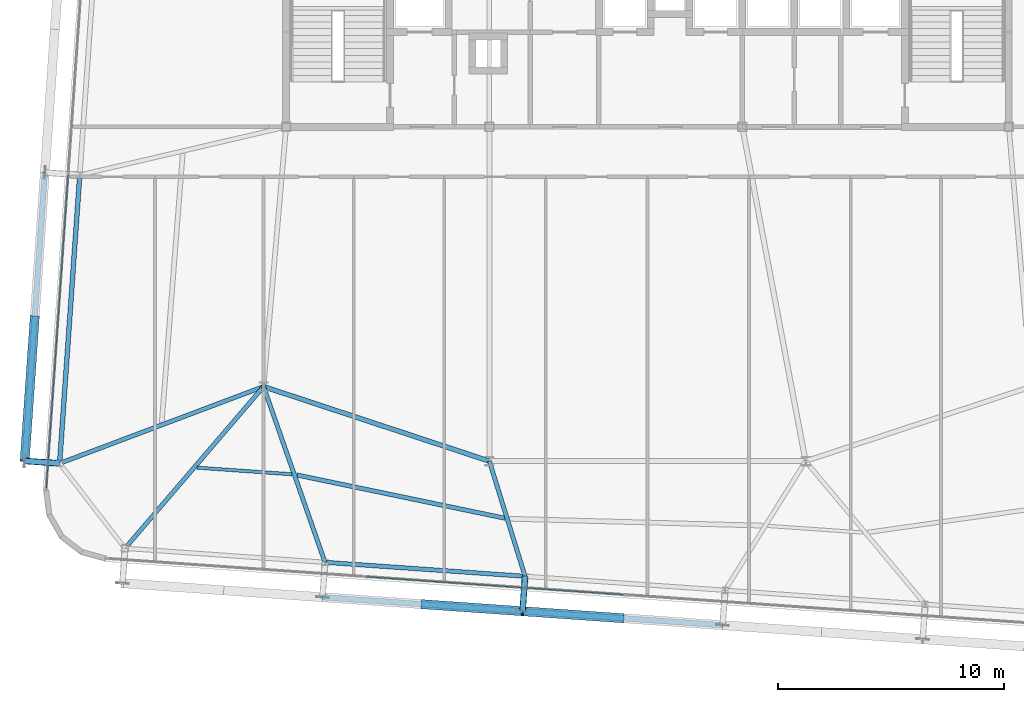
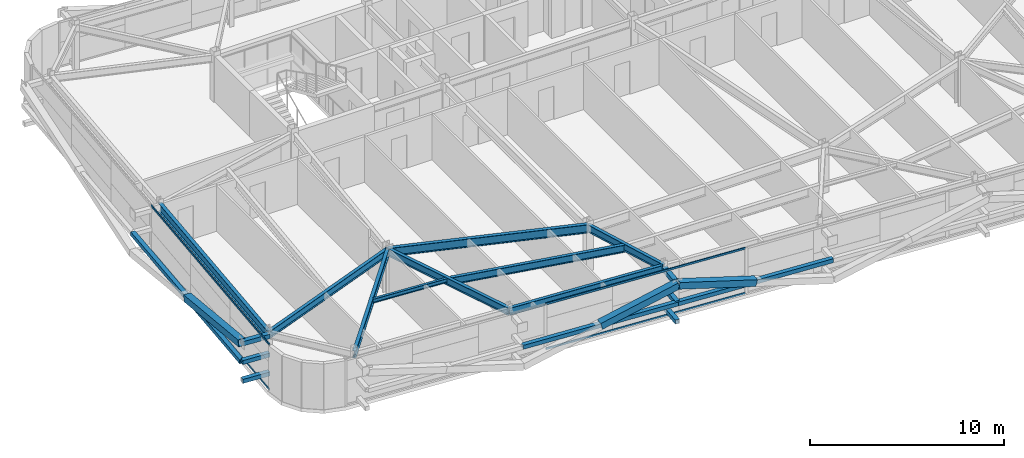
# One storey, part 8 of 39: 16 members, 9 beams, 2 elements without a shape of their own.
"""IFC4 building model written with IfcOpenShell, lengths in metres."""

import ifcopenshell
import ifcopenshell.guid

model = None  # the IFC model being written
_history = None  # IfcOwnerHistory: only IFC2X3 demands one
_inside = {}  # id of a spatial element -> (the spatial element, [elements in it])
_under = {}  # id of a project, library or spatial element -> (it, [spatial elements below it])
_declared = {}  # id of a project -> (the project, [libraries it declares])
_typed = {}  # id of a type object -> (the type object, [elements of that type])
_made_of = {}  # id of a material, layer set ... -> (it, [elements and type objects made of it])


def new_model(schema):
    """Start an empty IFC model of exactly this schema.

    Asked for "IFC4X3", IfcOpenShell would pick the latest addendum, in which some entities
    have other attributes; the version numbers below select the first issue.
    IFC2X3 requires an IfcOwnerHistory on every rooted entity: one is made here for all.
    """
    global model, _history
    if schema == "IFC4X3":
        model = ifcopenshell.file(schema_version=(4, 3, 0, 0))
    else:
        model = ifcopenshell.file(schema=schema)
    _inside.clear()
    _under.clear()
    _declared.clear()
    _typed.clear()
    _made_of.clear()
    _history = None
    if model.schema == "IFC2X3":
        org = make("IfcOrganization", Name="unknown")
        user = make(
            "IfcPersonAndOrganization",
            ThePerson=make("IfcPerson", FamilyName="unknown"),
            TheOrganization=org,
        )
        app = make(
            "IfcApplication",
            ApplicationDeveloper=org,
            Version="unknown",
            ApplicationFullName="unknown",
            ApplicationIdentifier="unknown",
        )
        _history = make(
            "IfcOwnerHistory",
            OwningUser=user,
            OwningApplication=app,
            ChangeAction="ADDED",
            CreationDate=0,
        )
    return model


def make(cls, **values):
    """One entity of the class cls with the attributes given. An attribute that is None is left unset."""
    return model.create_entity(
        cls, **{name: value for name, value in values.items() if value is not None}
    )


def rooted(cls, **values):
    """An entity with a GlobalId (a new one), such as an element, a storey or a relation."""
    return make(cls, GlobalId=ifcopenshell.guid.new(), OwnerHistory=_history, **values)


def si_unit(unit_type, name, prefix=None):
    """IfcSIUnit, for example si_unit("LENGTHUNIT", "METRE", prefix="MILLI")."""
    return make("IfcSIUnit", UnitType=unit_type, Prefix=prefix, Name=name)


def assignment(units):
    """IfcUnitAssignment: the units of a project."""
    return None if units is None else make("IfcUnitAssignment", Units=units)


def point(xyz):
    """IfcCartesianPoint."""
    return None if xyz is None else make("IfcCartesianPoint", Coordinates=xyz)


def direction(xyz):
    """IfcDirection."""
    return None if xyz is None else make("IfcDirection", DirectionRatios=xyz)


def frame(location, z_axis=None, x_axis=None):
    """IfcAxis2Placement3D, a coordinate frame: its origin and axes. An axis left out is left unset."""
    return make(
        "IfcAxis2Placement3D",
        Location=point(location),
        Axis=direction(z_axis),
        RefDirection=direction(x_axis),
    )


def frame_2d(location, x_axis=None):
    """IfcAxis2Placement2D, a coordinate frame in the plane: its origin and x axis."""
    return make(
        "IfcAxis2Placement2D", Location=point(location), RefDirection=direction(x_axis)
    )


def origin():
    """The frame at (0, 0, 0) with its axes left unset."""
    return frame((0.0, 0.0, 0.0))


def origin_2d():
    """The frame at (0, 0) in the plane with its x axis left unset."""
    return frame_2d((0.0, 0.0))


def place(relative_to, where):
    """IfcLocalPlacement: puts the frame where relative to a parent placement (None: the world)."""
    return make(
        "IfcLocalPlacement", PlacementRelTo=relative_to, RelativePlacement=where
    )


def context(
    kind, dimensions, precision=None, world=None, true_north=None, identifier=None
):
    """IfcGeometricRepresentationContext, for example the 3D "Model" context."""
    return make(
        "IfcGeometricRepresentationContext",
        ContextIdentifier=identifier,
        ContextType=kind,
        CoordinateSpaceDimension=dimensions,
        Precision=precision,
        WorldCoordinateSystem=world,
        TrueNorth=true_north,
    )


def subcontext(parent, identifier, kind, view, scale=None):
    """IfcGeometricRepresentationSubContext, for example "Body" below "Model"."""
    return make(
        "IfcGeometricRepresentationSubContext",
        ContextIdentifier=identifier,
        ContextType=kind,
        ParentContext=parent,
        TargetScale=scale,
        TargetView=view,
    )


def project(units=None, contexts=None):
    """IfcProject with its units and contexts."""
    return rooted(
        "IfcProject",
        Name="project",
        RepresentationContexts=contexts,
        UnitsInContext=assignment(units),
    )


def spatial(cls, under=None, at=None, **own):
    """A site, building, storey or space (cls), placed at a placement, below another one or the project."""
    s = rooted(cls, ObjectPlacement=at, **own)
    if under is not None:
        _under.setdefault(under.id(), (under, []))[1].append(s)
    return s


def profile(cls, at=None, kind="AREA", **sizes):
    """A parametric profile (cls). Its sizes go by their IFC names, for example OverallWidth=200.0."""
    return make(cls, ProfileType=kind, Position=at, **sizes)


def hollow_rectangle(**sizes):
    """IfcRectangleHollowProfileDef."""
    return profile("IfcRectangleHollowProfileDef", **sizes)


def i_section(**sizes):
    """IfcIShapeProfileDef."""
    return profile("IfcIShapeProfileDef", **sizes)


def extrude(swept, where, along, depth):
    """IfcExtrudedAreaSolid: the profile swept, set in the frame where, extruded along a direction by depth."""
    return make(
        "IfcExtrudedAreaSolid",
        SweptArea=swept,
        Position=where,
        ExtrudedDirection=direction(along),
        Depth=depth,
    )


def shape(context_of_items, identifier, shape_type, items):
    """IfcShapeRepresentation: the items that make up one representation, for example the "Body"."""
    return make(
        "IfcShapeRepresentation",
        ContextOfItems=context_of_items,
        RepresentationIdentifier=identifier,
        RepresentationType=shape_type,
        Items=items,
    )


def source(mapping_origin, context_of_items, identifier, shape_type, items):
    """IfcRepresentationMap: a shape defined once, which mapped items show again and again."""
    return make(
        "IfcRepresentationMap",
        MappingOrigin=mapping_origin,
        MappedRepresentation=shape(context_of_items, identifier, shape_type, items),
    )


def transform(
    local_origin,
    x_axis=None,
    y_axis=None,
    z_axis=None,
    scale=None,
    scale2=None,
    scale3=None,
    uniform=True,
):
    """IfcCartesianTransformationOperator3D, or its non-uniform kind. x_axis, y_axis, z_axis: its Axis1, 2, 3."""
    if uniform:
        return make(
            "IfcCartesianTransformationOperator3D",
            Axis1=direction(x_axis),
            Axis2=direction(y_axis),
            LocalOrigin=point(local_origin),
            Scale=scale,
            Axis3=direction(z_axis),
        )
    return make(
        "IfcCartesianTransformationOperator3DnonUniform",
        Axis1=direction(x_axis),
        Axis2=direction(y_axis),
        LocalOrigin=point(local_origin),
        Scale=scale,
        Axis3=direction(z_axis),
        Scale2=scale2,
        Scale3=scale3,
    )


def mapped(mapping_source, mapping_target):
    """IfcMappedItem: shows the shape of a source again, moved by a transform."""
    return make(
        "IfcMappedItem", MappingSource=mapping_source, MappingTarget=mapping_target
    )


def material(Name=None, Category=None):
    """IfcMaterial."""
    return make("IfcMaterial", Name=Name, Category=Category)


def layer(
    of_material, thickness, ventilated=None, Name=None, Category=None, Priority=None
):
    """IfcMaterialLayer: one layer of a wall or slab, of a material (None: an air gap)."""
    return make(
        "IfcMaterialLayer",
        Material=of_material,
        LayerThickness=thickness,
        IsVentilated=ventilated,
        Name=Name,
        Category=Category,
        Priority=Priority,
    )


def layer_set(layers, Name=None):
    """IfcMaterialLayerSet."""
    return make("IfcMaterialLayerSet", MaterialLayers=layers, LayerSetName=Name)


def material_profile(
    of_material, cross_section, Name=None, Category=None, Priority=None
):
    """IfcMaterialProfile: a cross section and its material."""
    return make(
        "IfcMaterialProfile",
        Name=Name,
        Material=of_material,
        Profile=cross_section,
        Priority=Priority,
        Category=Category,
    )


def profile_set(profiles, Name=None, composite=None):
    """IfcMaterialProfileSet."""
    return make(
        "IfcMaterialProfileSet",
        Name=Name,
        MaterialProfiles=profiles,
        CompositeProfile=composite,
    )


def made_of(thing, what):
    """Note that an element or type object is made of a material, layer set ...; save() writes the relation."""
    if what is not None:
        _made_of.setdefault(what.id(), (what, []))[1].append(thing)
    return thing


def type_object(cls, material=None, **own):
    """A type object (cls), such as IfcWallType, which elements share."""
    return made_of(rooted(cls, **own), material)


def element(
    cls,
    number,
    at=None,
    inside=None,
    cuts=None,
    type_object=None,
    material=None,
    context=None,
    identifier="Body",
    shape_type=None,
    held_by="IfcProductDefinitionShape",
    body=None,
    shapes=None,
    **own,
):
    """One element of the class cls, such as IfcWall. Its Tag is "e" and its number.

    at: its placement. inside: the storey or other place that contains it. cuts: it is an
    opening in that element (IfcRelVoidsElement). A single representation is given by context,
    identifier, shape_type and body (its items); several are given by shapes. held_by: the class
    of the entity that holds the representations. save() writes the other relations.
    """
    e = rooted(cls, Tag="e%d" % number, ObjectPlacement=at, **own)
    if body is not None:
        shapes = [shape(context, identifier, shape_type, body)]
    if shapes is not None:
        e.Representation = make(held_by, Representations=shapes)
    if inside is not None:
        _inside.setdefault(inside.id(), (inside, []))[1].append(e)
    if cuts is not None:
        rooted(
            "IfcRelVoidsElement", RelatingBuildingElement=cuts, RelatedOpeningElement=e
        )
    if type_object is not None:
        _typed.setdefault(type_object.id(), (type_object, []))[1].append(e)
    return made_of(e, material)


def aggregate(whole, parts):
    """IfcRelAggregates: a whole, such as a stair, and the parts it consists of."""
    return rooted("IfcRelAggregates", RelatingObject=whole, RelatedObjects=parts)


def save(model, path):
    """Write the relations noted so far, then the file.

    IfcRelAggregates (storeys below a building ...), IfcRelContainedInSpatialStructure (elements
    in a storey), IfcRelDefinesByType, IfcRelAssociatesMaterial and IfcRelDeclares: one each for
    every whole, place, type object, material and project.
    """
    for whole, parts in _under.values():
        aggregate(whole, parts)
    for where, things in _inside.values():
        rooted(
            "IfcRelContainedInSpatialStructure",
            RelatedElements=things,
            RelatingStructure=where,
        )
    for kind, things in _typed.values():
        rooted("IfcRelDefinesByType", RelatedObjects=things, RelatingType=kind)
    for what, things in _made_of.values():
        rooted("IfcRelAssociatesMaterial", RelatedObjects=things, RelatingMaterial=what)
    for by, libraries in _declared.values():
        rooted("IfcRelDeclares", RelatingContext=by, RelatedDefinitions=libraries)
    model.write(path)


model = new_model("IFC4")

# Units and contexts
model_context = context("Model", 3, precision=1e-05, world=origin(), true_north=direction((0.0, 1.0)))
body_context = subcontext(model_context, "Body", "Model", "MODEL_VIEW")
ifc_project = project(units=[si_unit("LENGTHUNIT", "METRE"), si_unit("AREAUNIT", "SQUARE_METRE"), si_unit("VOLUMEUNIT", "CUBIC_METRE"), si_unit("PLANEANGLEUNIT", "RADIAN"), si_unit("MASSUNIT", "GRAM", prefix="KILO")], contexts=[model_context])

# Site, building, storey
site_placement = place(None, origin())
site = spatial("IfcSite", under=ifc_project, at=site_placement, CompositionType="ELEMENT")
building_placement = place(site_placement, origin())
building = spatial("IfcBuilding", under=site, at=building_placement, Name="Taldren Reach Tower", CompositionType="ELEMENT")
storey_placement = place(building_placement, frame((0.0, 0.0, 161.35009765625)))
storey = spatial("IfcBuildingStorey", under=building, at=storey_placement, Name="L49", CompositionType="ELEMENT", Elevation=161.35009765625)

# Beam
ifc_material_1 = material(Name="Steel Gr 350 (350PLUS)", Category="steel")
ifc_material_profile_1 = material_profile(ifc_material_1, i_section(OverallWidth=0.208984375, OverallDepth=0.532958984375, WebThickness=0.01025390625, FlangeThickness=0.015625, at=origin_2d()), Name="530UB92.4")
ifc_profile_set_1 = profile_set([ifc_material_profile_1], Name="Steel Gr 350 (350PLUS)")
beam_type_1 = type_object("IfcBeamType", Name="BM-UB530A", PredefinedType="BEAM", material=ifc_profile_set_1)
shared_shape_1 = source(origin(), body_context, "Body", "SweptSolid", [
    extrude(i_section(OverallWidth=0.208984375, OverallDepth=0.532958984375, WebThickness=0.01025390625, FlangeThickness=0.015625, at=origin_2d()), origin(), (0.0, 0.0, 1.0), 10.530517578125),
])
beam_1_placement = place(storey_placement, frame((18.0, 12.5, 2.603515625), z_axis=(0.949627269203, -0.313381635689, 0.0), x_axis=(0.313381635689, 0.949627269203, 0.0)))
element("IfcBeam", 1, at=beam_1_placement, inside=storey, type_object=beam_type_1, Name="Core-spine girder L49-SP10", PredefinedType="BEAM", context=body_context, shape_type="MappedRepresentation", body=[
    mapped(shared_shape_1, transform((0.0, 0.0, 0.0), scale=1.0)),
])

# Members
ifc_material_2 = material(Name="Steel Gr 450 (C450L0)", Category="steel")
ifc_material_profile_2 = material_profile(ifc_material_2, hollow_rectangle(XDim=0.27490234375, YDim=0.27490234375, WallThickness=0.00927734375, at=origin_2d()), Name="275x275x9.3SHS")
ifc_profile_set_2 = profile_set([ifc_material_profile_2], Name="Steel Gr 450 (C450L0)")
member_type_1 = type_object("IfcMemberType", Name="MB-TIE273", PredefinedType="STRUT", material=ifc_profile_set_2)
shared_shape_2 = source(origin(), body_context, "Body", "SweptSolid", [
    extrude(hollow_rectangle(XDim=0.27490234375, YDim=0.27490234375, WallThickness=0.00927734375, at=origin_2d()), origin(), (0.0, 0.0, 1.0), 1.5498046875),
])
member_1_placement = place(storey_placement, frame((8.96875, 9.099609375, 2.58984375), z_axis=(-0.997573320145, 0.069623781384, 0.0), x_axis=(-0.069623781384, -0.997573320145, 0.0)))
element("IfcMember", 2, at=member_1_placement, inside=storey, type_object=member_type_1, Name="Exoskeleton diaphragm tie strut B3-W1 L49", PredefinedType="STRUT", context=body_context, shape_type="MappedRepresentation", body=[
    mapped(shared_shape_2, transform((0.0, 0.0, 0.0), scale=1.0)),
])
ifc_material_3 = material(Name="Steel Gr 350 (C350L0)", Category="steel")
ifc_material_profile_3 = material_profile(ifc_material_3, hollow_rectangle(XDim=0.25, YDim=0.25, WallThickness=0.010009765625, at=origin_2d()), Name="250x250x10.0SHS")
ifc_profile_set_3 = profile_set([ifc_material_profile_3], Name="Steel Gr 350 (C350L0)")
member_type_2 = type_object("IfcMemberType", Name="MB-POST250", PredefinedType="POST", material=ifc_profile_set_3)
shared_shape_3 = source(origin(), body_context, "Body", "SweptSolid", [
    extrude(hollow_rectangle(XDim=0.25, YDim=0.25, WallThickness=0.010009765625, at=origin_2d()), origin(), (0.0, 0.0, 1.0), 1.5498046875),
])
for number, where, z_axis, x_axis, name in (
    (3, (8.96875, 9.099609375, 0.219970703125), (-0.997573320145, 0.069623781384, 0.0), (-0.069623781384, -0.997573320145, 0.0), "Exoskeleton base diaphragm tie strut B3-W1 L49"),
    (4, (8.96875, 9.099609375, 1.40478515625), (-0.997573320145, 0.069623781384, 0.0), (-0.069623781384, -0.997573320145, 0.0), "Exoskeleton mid-tier diaphragm tie B3-W1 L49"),
):
    element("IfcMember", number, at=place(storey_placement, frame(where, z_axis=z_axis, x_axis=x_axis)), inside=storey, type_object=member_type_2, Name=name, PredefinedType="POST", context=body_context, shape_type="MappedRepresentation", body=[
        mapped(shared_shape_3, transform((0.0, 0.0, 0.0), scale=1.0)),
    ])
shared_shape_4 = source(origin(), body_context, "Body", "SweptSolid", [
    extrude(hollow_rectangle(XDim=0.27490234375, YDim=0.27490234375, WallThickness=0.00927734375, at=origin_2d()), origin(), (0.0, 0.0, 1.0), 1.550048828125),
])
member_2_placement = place(storey_placement, frame((29.580322265625, 4.099609375, 2.58984375), z_axis=(-0.06976957191, -0.99756313426, 0.0), x_axis=(0.99756313426, -0.06976957191, 0.0)))
element("IfcMember", 5, at=member_2_placement, inside=storey, type_object=member_type_1, Name="Exoskeleton diaphragm tie strut B3-S3 L49", PredefinedType="STRUT", context=body_context, shape_type="MappedRepresentation", body=[
    mapped(shared_shape_4, transform((0.0, 0.0, 0.0), scale=1.0)),
])
shared_shape_5 = source(origin(), body_context, "Body", "SweptSolid", [
    extrude(hollow_rectangle(XDim=0.25, YDim=0.25, WallThickness=0.010009765625, at=origin_2d()), origin(), (0.0, 0.0, 1.0), 1.550048828125),
])
for number, where, z_axis, x_axis, name in (
    (6, (29.580322265625, 4.099609375, 0.219970703125), (-0.06976957191, -0.99756313426, 0.0), (0.99756313426, -0.06976957191, 0.0), "Exoskeleton base diaphragm tie strut B3-S3 L49"),
    (7, (29.580322265625, 4.099609375, 1.40478515625), (-0.06976957191, -0.99756313426, 0.0), (0.99756313426, -0.06976957191, 0.0), "Exoskeleton mid-tier diaphragm tie B3-S3 L49"),
):
    element("IfcMember", number, at=place(storey_placement, frame(where, z_axis=z_axis, x_axis=x_axis)), inside=storey, type_object=member_type_2, Name=name, PredefinedType="POST", context=body_context, shape_type="MappedRepresentation", body=[
        mapped(shared_shape_5, transform((0.0, 0.0, 0.0), scale=1.0)),
    ])

# Beams
ifc_material_profile_4 = material_profile(ifc_material_1, i_section(OverallWidth=0.18994140625, OverallDepth=0.4541015625, WebThickness=0.008544921875, FlangeThickness=0.0126953125, at=origin_2d()), Name="460UB67.1")
ifc_profile_set_4 = profile_set([ifc_material_profile_4], Name="Steel Gr 350 (350PLUS)")
beam_type_2 = type_object("IfcBeamType", Name="SP-UB460B", PredefinedType="SPANDREL", material=ifc_profile_set_4)
shared_shape_6 = source(origin(), body_context, "Body", "SweptSolid", [
    extrude(i_section(OverallWidth=0.18994140625, OverallDepth=0.4541015625, WebThickness=0.008544921875, FlangeThickness=0.0126953125, at=origin_2d()), origin(), (0.0, 0.0, 1.0), 8.880126953125),
])
beam_2_placement = place(storey_placement, frame((20.721923828125, 4.718994140625, 2.642822265625), z_axis=(0.997564479639, -0.069750333063, 0.0), x_axis=(0.069750333063, 0.997564479639, 0.0)))
element("IfcBeam", 8, at=beam_2_placement, inside=storey, type_object=beam_type_2, Name="Perimeter spandrel B3 S2-S3 L49", PredefinedType="SPANDREL", context=body_context, shape_type="MappedRepresentation", body=[
    mapped(shared_shape_6, transform((0.0, 0.0, 0.0), scale=1.0)),
])
ifc_material_profile_5 = material_profile(ifc_material_1, i_section(OverallWidth=0.208984375, OverallDepth=0.528076171875, WebThickness=0.009521484375, FlangeThickness=0.01318359375, at=origin_2d()), Name="530UB82.0")
ifc_profile_set_5 = profile_set([ifc_material_profile_5], Name="Steel Gr 350 (350PLUS)")
beam_type_3 = type_object("IfcBeamType", Name="SP-UB530B", PredefinedType="SPANDREL", material=ifc_profile_set_5)
shared_shape_7 = source(origin(), body_context, "Body", "SweptSolid", [
    extrude(i_section(OverallWidth=0.208984375, OverallDepth=0.528076171875, WebThickness=0.009521484375, FlangeThickness=0.01318359375, at=origin_2d()), origin(), (0.0, 0.0, 1.0), 12.800048828125),
])
beam_3_placement = place(storey_placement, frame((9.86181640625, 21.868408203125, 2.60595703125), z_axis=(-0.069770857464, -0.997563044348, 0.0), x_axis=(0.997563044348, -0.069770857464, 0.0)))
element("IfcBeam", 9, at=beam_3_placement, inside=storey, type_object=beam_type_3, Name="Perimeter spandrel B3 W2-W1 L49", PredefinedType="SPANDREL", context=body_context, shape_type="MappedRepresentation", body=[
    mapped(shared_shape_7, transform((0.0, 0.0, 0.0), scale=1.0)),
])
ifc_material_profile_6 = material_profile(ifc_material_1, i_section(OverallWidth=0.19091796875, OverallDepth=0.4599609375, WebThickness=0.010009765625, FlangeThickness=0.01611328125, at=origin_2d()), Name="460UB82.1")
ifc_profile_set_6 = profile_set([ifc_material_profile_6], Name="Steel Gr 350 (350PLUS)")
beam_type_4 = type_object("IfcBeamType", Name="BM-UB460A", PredefinedType="BEAM", material=ifc_profile_set_6)
shared_shape_8 = source(origin(), body_context, "Body", "SweptSolid", [
    extrude(i_section(OverallWidth=0.19091796875, OverallDepth=0.4599609375, WebThickness=0.010009765625, FlangeThickness=0.01611328125, at=origin_2d()), origin(), (0.0, 0.0, 1.0), 9.43115234375),
])
beam_4_placement = place(storey_placement, frame((18.0, 12.5, 2.639892578125), z_axis=(-0.650665584965, -0.759364402999, 0.0), x_axis=(0.759364402999, -0.650665584965, 0.0)))
element("IfcBeam", 10, at=beam_4_placement, inside=storey, type_object=beam_type_4, Name="Primary floor girder B3-S1 L49", PredefinedType="BEAM", context=body_context, shape_type="MappedRepresentation", body=[
    mapped(shared_shape_8, transform((0.0, 0.0, 0.0), scale=1.0)),
])
shared_shape_9 = source(origin(), body_context, "Body", "SweptSolid", [
    extrude(i_section(OverallWidth=0.19091796875, OverallDepth=0.4599609375, WebThickness=0.010009765625, FlangeThickness=0.01611328125, at=origin_2d()), origin(), (0.0, 0.0, 1.0), 8.243408203125),
])
beam_5_placement = place(storey_placement, frame((18.0, 12.5, 2.639892578125), z_axis=(0.330196070713, -0.943912366105, 0.0), x_axis=(0.943912366105, 0.330196070713, 0.0)))
element("IfcBeam", 11, at=beam_5_placement, inside=storey, type_object=beam_type_4, Name="Primary floor girder B3-S2 L49", PredefinedType="BEAM", context=body_context, shape_type="MappedRepresentation", body=[
    mapped(shared_shape_9, transform((0.0, 0.0, 0.0), scale=1.0)),
])
shared_shape_10 = source(origin(), body_context, "Body", "SweptSolid", [
    extrude(i_section(OverallWidth=0.19091796875, OverallDepth=0.4599609375, WebThickness=0.010009765625, FlangeThickness=0.01611328125, at=origin_2d()), origin(), (0.0, 0.0, 1.0), 5.339599609375),
])
beam_6_placement = place(storey_placement, frame((28.0, 9.199951171875, 2.639892578125), z_axis=(0.295964865482, -0.955198826632, 0.0), x_axis=(0.955198826632, 0.295964865482, 0.0)))
element("IfcBeam", 12, at=beam_6_placement, inside=storey, type_object=beam_type_4, Name="Primary floor girder B3-S3 L49", PredefinedType="BEAM", context=body_context, shape_type="MappedRepresentation", body=[
    mapped(shared_shape_10, transform((0.0, 0.0, 0.0), scale=1.0)),
])
shared_shape_11 = source(origin(), body_context, "Body", "SweptSolid", [
    extrude(i_section(OverallWidth=0.19091796875, OverallDepth=0.4599609375, WebThickness=0.010009765625, FlangeThickness=0.01611328125, at=origin_2d()), origin(), (0.0, 0.0, 1.0), 9.650146484375),
])
beam_7_placement = place(storey_placement, frame((18.0, 12.5, 2.639892578125), z_axis=(-0.935862573906, -0.352365212191, 0.0), x_axis=(0.352365212191, -0.935862573906, 0.0)))
element("IfcBeam", 13, at=beam_7_placement, inside=storey, type_object=beam_type_4, Name="Primary floor girder B3-W1 L49", PredefinedType="BEAM", context=body_context, shape_type="MappedRepresentation", body=[
    mapped(shared_shape_11, transform((0.0, 0.0, 0.0), scale=1.0)),
])
ifc_material_4 = material(Name="Steel Gr 300 (300PLUS, 300 MPa)", Category="steel")
ifc_material_profile_7 = material_profile(ifc_material_4, i_section(OverallWidth=0.14599609375, OverallDepth=0.256103515625, WebThickness=0.00634765625, FlangeThickness=0.010986328125, at=origin_2d()), Name="250UB37.3")
ifc_profile_set_7 = profile_set([ifc_material_profile_7], Name="Steel Gr 300 (300PLUS, 300 MPa)")
beam_type_5 = type_object("IfcBeamType", Name="JS-UB250", PredefinedType="JOIST", material=ifc_profile_set_7)
shared_shape_12 = source(origin(), body_context, "Body", "SweptSolid", [
    extrude(i_section(OverallWidth=0.14599609375, OverallDepth=0.256103515625, WebThickness=0.00634765625, FlangeThickness=0.010986328125, at=origin_2d()), origin(), (0.0, 0.0, 1.0), 4.217041015625),
])
beam_8_placement = place(storey_placement, frame((15.050537109375, 8.910888671875, 2.741943359375), z_axis=(0.997563683226, -0.069761722378, 0.0), x_axis=(0.069761722378, 0.997563683226, 0.0)))
element("IfcBeam", 14, at=beam_8_placement, inside=storey, type_object=beam_type_5, Name="Secondary floor joist B3 J1 L49", PredefinedType="JOIST", context=body_context, shape_type="MappedRepresentation", body=[
    mapped(shared_shape_12, transform((0.0, 0.0, 0.0), scale=1.0)),
])
shared_shape_13 = source(origin(), body_context, "Body", "SweptSolid", [
    extrude(i_section(OverallWidth=0.19091796875, OverallDepth=0.4599609375, WebThickness=0.010009765625, FlangeThickness=0.01611328125, at=origin_2d()), origin(), (0.0, 0.0, 1.0), 9.410400390625),
])
beam_9_placement = place(storey_placement, frame((19.469970703125, 8.5869140625, 2.639892578125), z_axis=(0.97907399109, -0.20350459447, 0.0), x_axis=(0.20350459447, 0.97907399109, 0.0)))
element("IfcBeam", 15, at=beam_9_placement, inside=storey, type_object=beam_type_4, Name="Secondary floor beam B3 J2 L49", PredefinedType="BEAM", context=body_context, shape_type="MappedRepresentation", body=[
    mapped(shared_shape_13, transform((0.0, 0.0, 0.0), scale=1.0)),
])

# Members
shared_shape_14 = source(origin(), body_context, "Body", "SweptSolid", [
    extrude(hollow_rectangle(XDim=0.25, YDim=0.25, WallThickness=0.010009765625, at=origin_2d()), origin(), (0.0, 0.0, 1.0), 8.880126953125),
])
for number, where, z_axis, x_axis, name in (
    (16, (20.61376953125, 3.1728515625, 1.40478515625), (0.997562566276, -0.06977769246, 0.0), (0.06977769246, 0.997562566276, 0.0), "Exoskeleton mid-height ring chord B3-S2 L49"),
    (17, (29.47216796875, 2.55322265625, 1.40478515625), (0.997564479639, -0.069750333063, 0.0), (0.069750333063, 0.997564479639, 0.0), "Exoskeleton mid-height ring chord B3-S3 L49"),
):
    element("IfcMember", number, at=place(storey_placement, frame(where, z_axis=z_axis, x_axis=x_axis)), inside=storey, type_object=member_type_2, Name=name, PredefinedType="POST", context=body_context, shape_type="MappedRepresentation", body=[
        mapped(shared_shape_14, transform((0.0, 0.0, 0.0), scale=1.0)),
    ])
shared_shape_15 = source(origin(), body_context, "Body", "SweptSolid", [
    extrude(hollow_rectangle(XDim=0.25, YDim=0.25, WallThickness=0.010009765625, at=origin_2d()), origin(), (0.0, 0.0, 1.0), 12.80029296875),
])
member_3_placement = place(storey_placement, frame((7.422607421875, 9.20751953125, 1.40478515625), z_axis=(0.069750549628, 0.997564464497, 0.0), x_axis=(-0.997564464497, 0.069750549628, 0.0)))
element("IfcMember", 18, at=member_3_placement, inside=storey, type_object=member_type_2, Name="Exoskeleton mid-height ring chord B3-W1 L49", PredefinedType="POST", context=body_context, shape_type="MappedRepresentation", body=[
    mapped(shared_shape_15, transform((0.0, 0.0, 0.0), scale=1.0)),
])
ifc_material_profile_8 = material_profile(ifc_material_2, hollow_rectangle(XDim=0.409912109375, YDim=0.409912109375, WallThickness=0.01611328125, at=origin_2d()), Name="410x410x16.0SHS")
ifc_profile_set_8 = profile_set([ifc_material_profile_8], Name="Steel Gr 450 (C450L0)")
member_type_3 = type_object("IfcMemberType", Name="MB-EXO406", PredefinedType="BRACE", material=ifc_profile_set_8)
shared_shape_16 = source(origin(), body_context, "Body", "SweptSolid", [
    extrude(hollow_rectangle(XDim=0.409912109375, YDim=0.409912109375, WallThickness=0.01611328125, at=origin_2d()), origin(), (0.0, 0.0, 1.0), 4.595458984375),
])
for number, where, z_axis, x_axis, name in (
    (19, (25.04296875, 2.863037109375, 1.40478515625), (0.96382288138, -0.067417662687, 0.257876544274), (0.06977769246, 0.997562566276, 0.0), "Exoskeleton Diagrid Brace B3-S2 L49"),
    (20, (33.9013671875, 2.24365234375, 1.40478515625), (-0.963826332135, 0.067364777265, 0.257877467544), (-0.069722973508, -0.997566392259, 0.0), "Exoskeleton Diagrid Brace B3-S3 L49"),
):
    element("IfcMember", number, at=place(storey_placement, frame(where, z_axis=z_axis, x_axis=x_axis)), inside=storey, type_object=member_type_3, Name=name, PredefinedType="BRACE", context=body_context, shape_type="MappedRepresentation", body=[
        mapped(shared_shape_16, transform((0.0, 0.0, 0.0), scale=1.0)),
    ])
shared_shape_17 = source(origin(), body_context, "Body", "SweptSolid", [
    extrude(hollow_rectangle(XDim=0.409912109375, YDim=0.409912109375, WallThickness=0.01611328125, at=origin_2d()), origin(), (0.0, 0.0, 1.0), 6.5087890625),
])
member_4_placement = place(storey_placement, frame((7.869140625, 15.592041015625, 1.40478515625), z_axis=(-0.06860340807, -0.980889953217, 0.182067218573), x_axis=(0.997563137195, -0.069769529958, 0.0)))
element("IfcMember", 21, at=member_4_placement, inside=storey, type_object=member_type_3, Name="Exoskeleton Diagrid Brace B3-W1 L49", PredefinedType="BRACE", context=body_context, shape_type="MappedRepresentation", body=[
    mapped(shared_shape_17, transform((0.0, 0.0, 0.0), scale=1.0)),
])

# Curtain wall, members
ifc_material_5 = material(Name="Aluminium and Low-E Glass Unitised System", Category="aluminium")
ifc_layer = layer(ifc_material_5, 0.159912109375)
ifc_layer_set = layer_set([ifc_layer], Name="Aluminium and Low-E Glass Unitised System")
curtain_wall_type = type_object("IfcCurtainWallType", Name="CW-SYS-4", PredefinedType="NOTDEFINED", material=ifc_layer_set)
curtain_wall_1_placement = place(storey_placement, origin())
curtain_wall_1 = element("IfcCurtainWall", 22, at=curtain_wall_1_placement, inside=storey, type_object=curtain_wall_type, Name="Unitised curtain wall CW-L49-S", PredefinedType="NOTDEFINED")
ifc_material_6 = material(Name="Anodised Aluminium 6063-T6", Category="aluminium")
ifc_material_profile_9 = material_profile(ifc_material_6, hollow_rectangle(XDim=0.054931640625, YDim=0.1201171875, WallThickness=0.0029296875, at=origin_2d()), Name="ALU-120x55x3RHS")
ifc_profile_set_9 = profile_set([ifc_material_profile_9], Name="Anodised Aluminium 6063-T6")
member_type_4 = type_object("IfcMemberType", Name="CW-TRN-135", PredefinedType="USERDEFINED", material=ifc_profile_set_9)
shared_shape_18 = source(origin(), body_context, "Body", "SweptSolid", [
    extrude(hollow_rectangle(XDim=0.054931640625, YDim=0.1201171875, WallThickness=0.0029296875, at=origin_2d()), origin(), (0.0, 0.0, 1.0), 11.429931640625),
])
member_5_placement = place(storey_placement, frame((22.536865234375, 4.080810546875, 0.02734375), z_axis=(0.997563740938, -0.069760897114, 0.0), x_axis=(0.069760897114, 0.997563740938, 0.0)))
member_5 = element("IfcMember", 23, at=member_5_placement, type_object=member_type_4, Name="CW-4 transom 2.1", ObjectType="TRANSOM", PredefinedType="USERDEFINED", context=body_context, shape_type="MappedRepresentation", body=[
    mapped(shared_shape_18, transform((0.0, 0.0, 0.0), scale=1.0)),
])
member_6_placement = place(storey_placement, frame((22.536865234375, 4.080810546875, 2.84228515625), z_axis=(0.997563740938, -0.069760897114, 0.0), x_axis=(0.069760897114, 0.997563740938, 0.0)))
member_6 = element("IfcMember", 24, at=member_6_placement, type_object=member_type_4, Name="CW-4 transom 2.2", ObjectType="TRANSOM", PredefinedType="USERDEFINED", context=body_context, shape_type="MappedRepresentation", body=[
    mapped(shared_shape_18, transform((0.0, 0.0, 0.0), scale=1.0)),
])
aggregate(curtain_wall_1, [member_5, member_6])

curtain_wall_2_placement = place(storey_placement, origin())
curtain_wall_2 = element("IfcCurtainWall", 25, at=curtain_wall_2_placement, inside=storey, type_object=curtain_wall_type, Name="Unitised curtain wall CW-L49-W", PredefinedType="NOTDEFINED")
shared_shape_19 = source(origin(), body_context, "Body", "SweptSolid", [
    extrude(hollow_rectangle(XDim=0.054931640625, YDim=0.1201171875, WallThickness=0.0029296875, at=origin_2d()), origin(), (0.0, 0.0, 1.0), 13.89501953125),
])
member_7_placement = place(storey_placement, frame((9.3505859375, 21.868896484375, 0.02734375), z_axis=(-0.069754817075, -0.997564166104, 0.0), x_axis=(0.997564166104, -0.069754817075, 0.0)))
member_7 = element("IfcMember", 26, at=member_7_placement, type_object=member_type_4, Name="CW-4 transom 2.1", ObjectType="TRANSOM", PredefinedType="USERDEFINED", context=body_context, shape_type="MappedRepresentation", body=[
    mapped(shared_shape_19, transform((0.0, 0.0, 0.0), scale=1.0)),
])
member_8_placement = place(storey_placement, frame((9.3505859375, 21.868896484375, 2.84228515625), z_axis=(-0.069754817075, -0.997564166104, 0.0), x_axis=(0.997564166104, -0.069754817075, 0.0)))
member_8 = element("IfcMember", 27, at=member_8_placement, type_object=member_type_4, Name="CW-4 transom 2.2", ObjectType="TRANSOM", PredefinedType="USERDEFINED", context=body_context, shape_type="MappedRepresentation", body=[
    mapped(shared_shape_19, transform((0.0, 0.0, 0.0), scale=1.0)),
])
aggregate(curtain_wall_2, [member_7, member_8])

save(model, "model.ifc")
